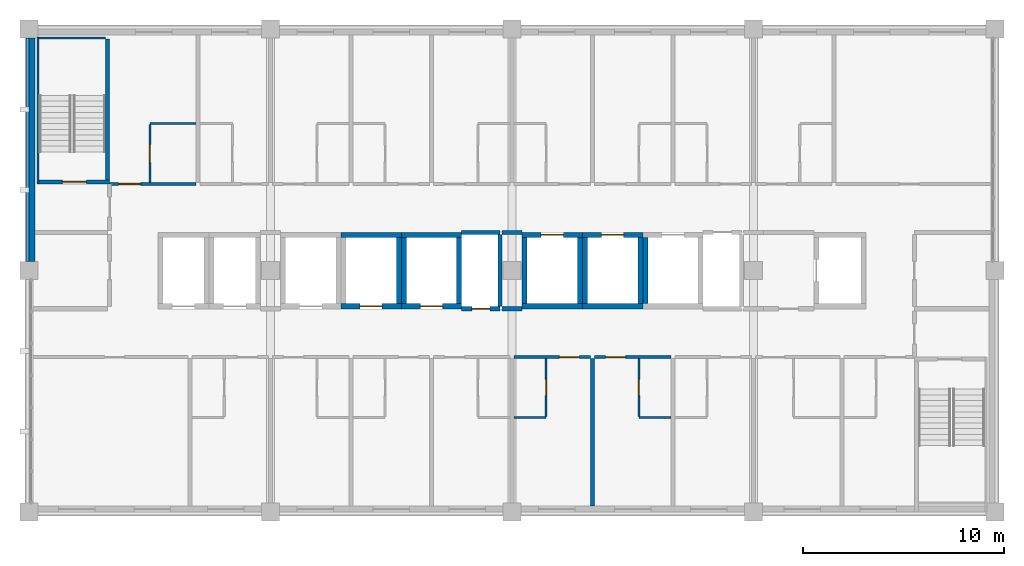
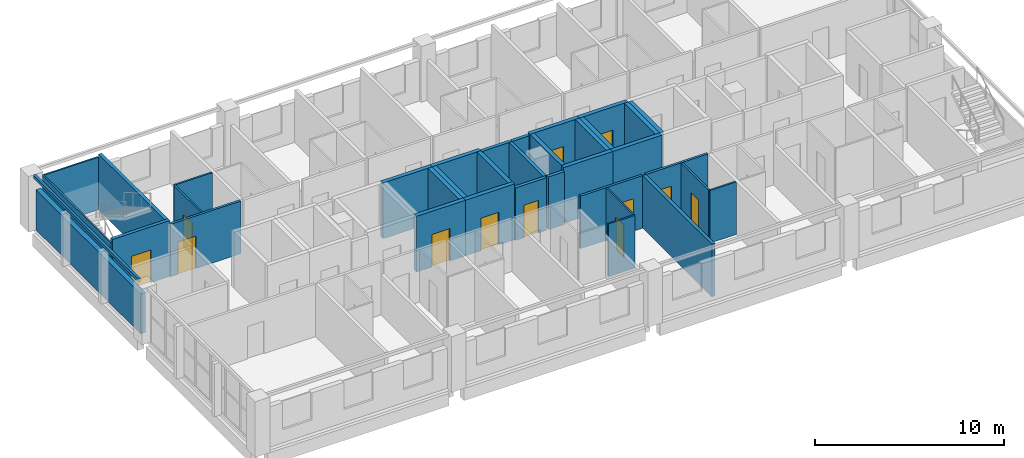
# One storey, part 7 of 11: 37 walls, 12 doors, 12 openings.
"""IFC4 building model written with IfcOpenShell, lengths in metres."""

from ifc_helpers import new_model, si_unit, direction, frame, frame_2d, origin, place, context, subcontext, project, spatial, rectangle, extrude, material, layer, layer_set, type_object, element, fill, save


model = new_model("IFC4")

# Units and contexts
model_context = context("Model", 3, precision=1e-05, world=origin(), true_north=direction((0.0, 1.0)))
body_context = subcontext(model_context, "Body", "Model", "MODEL_VIEW")
ifc_project = project(units=[si_unit("LENGTHUNIT", "METRE"), si_unit("AREAUNIT", "SQUARE_METRE"), si_unit("VOLUMEUNIT", "CUBIC_METRE"), si_unit("PLANEANGLEUNIT", "RADIAN"), si_unit("MASSUNIT", "GRAM", prefix="KILO")], contexts=[model_context])

# Site, building, storey
site_placement = place(None, origin())
site = spatial("IfcSite", under=ifc_project, at=site_placement, CompositionType="ELEMENT")
building_placement = place(site_placement, origin())
building = spatial("IfcBuilding", under=site, at=building_placement, Name="Lilac Gate Convention Centre", CompositionType="ELEMENT")
storey_placement = place(building_placement, frame((0.0, 0.0, 28.199951171875)))
storey = spatial("IfcBuildingStorey", under=building, at=storey_placement, Name="L06", CompositionType="ELEMENT", Elevation=28.199951171875)

# Walls
ifc_material_1 = material(Name="Concrete C60", Category="concrete")
ifc_layer_1 = layer(ifc_material_1, 0.10009765625)
ifc_layer_set_1 = layer_set([ifc_layer_1], Name="Concrete C60")
wall_type_1 = type_object("IfcWallType", Name="Core wall 100 C60", PredefinedType="SHEAR", material=ifc_layer_set_1)
wall_1_placement = place(storey_placement, frame((42.449951171875, 238.300048828125, 0.0), z_axis=(0.0, 0.0, 1.0), x_axis=(0.0, 1.0, 0.0)))
element("IfcWall", 1, at=wall_1_placement, inside=storey, type_object=wall_type_1, Name="CRW8 core wall TS-WX L06 1", PredefinedType="SHEAR", context=body_context, shape_type="SweptSolid", body=[
    extrude(rectangle(XDim=7.300048828125, YDim=0.10009765625, at=frame_2d((3.64990234375, 0.0))), origin(), (0.0, 0.0, 1.0), 3.400146484375),
])
wall_2_placement = place(storey_placement, frame((42.5, 245.550048828125, 0.0), z_axis=(0.0, 0.0, 1.0), x_axis=(1.0, 0.0, 0.0)))
element("IfcWall", 2, at=wall_2_placement, inside=storey, type_object=wall_type_1, Name="CRW8 core wall TS-WX L06 2", PredefinedType="SHEAR", context=body_context, shape_type="SweptSolid", body=[
    extrude(rectangle(XDim=3.300048828125, YDim=0.10009765625, at=frame_2d((1.64990234375, 0.0))), origin(), (0.0, 0.0, 1.0), 3.400146484375),
])

# Wall, opening, door
ifc_layer_2 = layer(ifc_material_1, 0.199951171875)
ifc_layer_set_2 = layer_set([ifc_layer_2], Name="Concrete C60")
wall_type_2 = type_object("IfcWallType", Name="Core wall 200 C60", PredefinedType="SHEAR", material=ifc_layer_set_2)
wall_3_placement = place(storey_placement, frame((42.5, 238.39990234375, 0.0), z_axis=(0.0, 0.0, 1.0), x_axis=(1.0, 0.0, 0.0)))
wall_3 = element("IfcWall", 3, at=wall_3_placement, inside=storey, type_object=wall_type_2, Name="CRW2 core wall TS-W L06 1", PredefinedType="SHEAR", context=body_context, shape_type="SweptSolid", body=[
    extrude(rectangle(XDim=3.5, YDim=0.199951171875, at=frame_2d((1.75, 0.0))), origin(), (0.0, 0.0, 1.0), 3.60009765625),
])
opening_1_placement = place(wall_3_placement, frame((1.14990234375, 0.0, 0.0)))
opening_1 = element("IfcOpeningElement", 4, at=opening_1_placement, cuts=wall_3, Name="Opening T04-055", PredefinedType="OPENING", context=body_context, shape_type="SweptSolid", body=[
    extrude(rectangle(XDim=1.199951171875, YDim=2.10009765625, at=frame_2d((0.60009765625, 1.050048828125))), frame((0.0, 0.10986328125, 0.0), z_axis=(0.0, -1.0, 0.0), x_axis=(1.0, 0.0, 0.0)), (0.0, 0.0, 1.0), 0.219970703125),
])
ifc_material_2 = material(Name="Steel Q235B", Category="steel")
door_type_1 = type_object("IfcDoorType", Name="Stair door 1200", OperationType="SINGLE_SWING_LEFT", PredefinedType="DOOR", material=ifc_material_2)
door_1_placement = place(opening_1_placement, origin())
door_1 = element("IfcDoor", 5, at=door_1_placement, inside=storey, type_object=door_type_1, Name="Stair door NW L06", OperationType="SINGLE_SWING_RIGHT", OverallHeight=2.10009765625, OverallWidth=1.199951171875, PredefinedType="DOOR", context=body_context, shape_type="SweptSolid", body=[
    extrude(rectangle(XDim=1.199951171875, YDim=2.10009765625, at=frame_2d((0.60009765625, 1.050048828125))), frame((0.0, 0.02490234375, 0.0), z_axis=(0.0, -1.0, 0.0), x_axis=(1.0, 0.0, 0.0)), (0.0, 0.0, 1.0), 0.050048828125),
])
fill(opening_1, door_1)

# Wall
wall_4_placement = place(storey_placement, frame((45.89990234375, 238.5, 0.0), z_axis=(0.0, 0.0, 1.0), x_axis=(0.0, 1.0, 0.0)))
element("IfcWall", 6, at=wall_4_placement, inside=storey, type_object=wall_type_2, Name="CRW2 core wall TS-W L06 2", PredefinedType="SHEAR", context=body_context, shape_type="SweptSolid", body=[
    extrude(rectangle(XDim=7.0, YDim=0.199951171875, at=frame_2d((3.5, 0.0))), origin(), (0.0, 0.0, 1.0), 3.60009765625),
])

# Wall, opening, door
ifc_layer_3 = layer(ifc_material_1, 0.25)
ifc_layer_set_3 = layer_set([ifc_layer_3], Name="Concrete C60")
wall_type_3 = type_object("IfcWallType", Name="Core wall 250 C60", PredefinedType="SHEAR", material=ifc_layer_set_3)
wall_5_placement = place(storey_placement, frame((57.5, 232.22509765625, 0.0), z_axis=(0.0, 0.0, 1.0), x_axis=(1.0, 0.0, 0.0)))
wall_5 = element("IfcWall", 7, at=wall_5_placement, inside=storey, type_object=wall_type_3, Name="CRW3 core wall TC L06 5", PredefinedType="SHEAR", context=body_context, shape_type="SweptSolid", body=[
    extrude(rectangle(XDim=3.0, YDim=0.25, at=frame_2d((1.5, 0.0))), origin(), (0.0, 0.0, 1.0), 3.60009765625),
])
opening_2_placement = place(wall_5_placement, frame((0.949951171875, 0.0, 0.0)))
opening_2 = element("IfcOpeningElement", 8, at=opening_2_placement, cuts=wall_5, Name="Opening T04-047", PredefinedType="OPENING", context=body_context, shape_type="SweptSolid", body=[
    extrude(rectangle(XDim=1.10009765625, YDim=2.10009765625, at=frame_2d((0.550048828125, 1.050048828125))), frame((0.0, 0.135009765625, 0.0), z_axis=(0.0, -1.0, 0.0), x_axis=(1.0, 0.0, 0.0)), (0.0, 0.0, 1.0), 0.27001953125),
])
ifc_material_3 = material(Name="Stainless steel 304", Category="steel")
door_type_2 = type_object("IfcDoorType", Name="Lift landing door 1100", OperationType="SLIDING_TO_LEFT", PredefinedType="DOOR", material=ifc_material_3)
door_2_placement = place(opening_2_placement, origin())
door_2 = element("IfcDoor", 9, at=door_2_placement, inside=storey, type_object=door_type_2, Name="Lift landing door TP2 L06", OperationType="SLIDING_TO_LEFT", OverallHeight=2.10009765625, OverallWidth=1.10009765625, PredefinedType="DOOR", context=body_context, shape_type="SweptSolid", body=[
    extrude(rectangle(XDim=1.10009765625, YDim=2.10009765625, at=frame_2d((0.550048828125, 1.050048828125))), frame((0.0, 0.02490234375, 0.0), z_axis=(0.0, -1.0, 0.0), x_axis=(1.0, 0.0, 0.0)), (0.0, 0.0, 1.0), 0.050048828125),
])
fill(opening_2, door_2)

# Walls
wall_6_placement = place(storey_placement, frame((57.5, 235.77490234375, 0.0), z_axis=(0.0, 0.0, 1.0), x_axis=(1.0, 0.0, 0.0)))
element("IfcWall", 10, at=wall_6_placement, inside=storey, type_object=wall_type_3, Name="CRW3 core wall TC L06 6", PredefinedType="SHEAR", context=body_context, shape_type="SweptSolid", body=[
    extrude(rectangle(XDim=3.0, YDim=0.25, at=frame_2d((1.5, 0.0))), origin(), (0.0, 0.0, 1.0), 3.60009765625),
])
wall_7_placement = place(storey_placement, frame((60.375, 232.35009765625, 0.0), z_axis=(0.0, 0.0, 1.0), x_axis=(0.0, 1.0, 0.0)))
element("IfcWall", 11, at=wall_7_placement, inside=storey, type_object=wall_type_3, Name="CRW3 core wall TC L06 8", PredefinedType="SHEAR", context=body_context, shape_type="SweptSolid", body=[
    extrude(rectangle(XDim=3.2998046875, YDim=0.25, at=frame_2d((1.64990234375, 0.0))), origin(), (0.0, 0.0, 1.0), 3.60009765625),
])

# Wall, opening, door
wall_8_placement = place(storey_placement, frame((60.5, 232.22509765625, 0.0), z_axis=(0.0, 0.0, 1.0), x_axis=(1.0, 0.0, 0.0)))
wall_8 = element("IfcWall", 12, at=wall_8_placement, inside=storey, type_object=wall_type_3, Name="CRW3 core wall TC L06 9", PredefinedType="SHEAR", context=body_context, shape_type="SweptSolid", body=[
    extrude(rectangle(XDim=3.0, YDim=0.25, at=frame_2d((1.5, 0.0))), origin(), (0.0, 0.0, 1.0), 3.60009765625),
])
opening_3_placement = place(wall_8_placement, frame((0.949951171875, 0.0, 0.0)))
opening_3 = element("IfcOpeningElement", 13, at=opening_3_placement, cuts=wall_8, Name="Opening T04-048", PredefinedType="OPENING", context=body_context, shape_type="SweptSolid", body=[
    extrude(rectangle(XDim=1.10009765625, YDim=2.10009765625, at=frame_2d((0.550048828125, 1.050048828125))), frame((0.0, 0.135009765625, 0.0), z_axis=(0.0, -1.0, 0.0), x_axis=(1.0, 0.0, 0.0)), (0.0, 0.0, 1.0), 0.27001953125),
])
door_3_placement = place(opening_3_placement, origin())
door_3 = element("IfcDoor", 14, at=door_3_placement, inside=storey, type_object=door_type_2, Name="Lift landing door TP3 L06", OperationType="SLIDING_TO_LEFT", OverallHeight=2.10009765625, OverallWidth=1.10009765625, PredefinedType="DOOR", context=body_context, shape_type="SweptSolid", body=[
    extrude(rectangle(XDim=1.10009765625, YDim=2.10009765625, at=frame_2d((0.550048828125, 1.050048828125))), frame((0.0, 0.02490234375, 0.0), z_axis=(0.0, -1.0, 0.0), x_axis=(1.0, 0.0, 0.0)), (0.0, 0.0, 1.0), 0.050048828125),
])
fill(opening_3, door_3)

# Walls
wall_9_placement = place(storey_placement, frame((60.5, 235.77490234375, 0.0), z_axis=(0.0, 0.0, 1.0), x_axis=(1.0, 0.0, 0.0)))
element("IfcWall", 15, at=wall_9_placement, inside=storey, type_object=wall_type_3, Name="CRW3 core wall TC L06 10", PredefinedType="SHEAR", context=body_context, shape_type="SweptSolid", body=[
    extrude(rectangle(XDim=3.0, YDim=0.25, at=frame_2d((1.5, 0.0))), origin(), (0.0, 0.0, 1.0), 3.60009765625),
])
for number, where, z_axis, x_axis, name in (
    (16, (60.625, 232.35009765625, 0.0), (0.0, 0.0, 1.0), (0.0, 1.0, 0.0), "CRW3 core wall TC L06 11"),
    (17, (63.375, 232.35009765625, 0.0), (0.0, 0.0, 1.0), (0.0, 1.0, 0.0), "CRW3 core wall TC L06 12"),
):
    element("IfcWall", number, at=place(storey_placement, frame(where, z_axis=z_axis, x_axis=x_axis)), inside=storey, type_object=wall_type_3, Name=name, PredefinedType="SHEAR", context=body_context, shape_type="SweptSolid", body=[
        extrude(rectangle(XDim=3.2998046875, YDim=0.25, at=frame_2d((1.64990234375, 0.0))), origin(), (0.0, 0.0, 1.0), 3.60009765625),
    ])
wall_10_placement = place(storey_placement, frame((66.5, 232.22509765625, 0.0), z_axis=(0.0, 0.0, 1.0), x_axis=(1.0, 0.0, 0.0)))
element("IfcWall", 18, at=wall_10_placement, inside=storey, type_object=wall_type_3, Name="CRW3 core wall TC L06 13", PredefinedType="SHEAR", context=body_context, shape_type="SweptSolid", body=[
    extrude(rectangle(XDim=3.0, YDim=0.25, at=frame_2d((1.5, 0.0))), origin(), (0.0, 0.0, 1.0), 3.60009765625),
])

# Wall, opening, door
wall_11_placement = place(storey_placement, frame((66.5, 235.77490234375, 0.0), z_axis=(0.0, 0.0, 1.0), x_axis=(1.0, 0.0, 0.0)))
wall_11 = element("IfcWall", 19, at=wall_11_placement, inside=storey, type_object=wall_type_3, Name="CRW3 core wall TC L06 14", PredefinedType="SHEAR", context=body_context, shape_type="SweptSolid", body=[
    extrude(rectangle(XDim=3.0, YDim=0.25, at=frame_2d((1.5, 0.0))), origin(), (0.0, 0.0, 1.0), 3.60009765625),
])
opening_4_placement = place(wall_11_placement, frame((0.949951171875, 0.0, 0.0)))
opening_4 = element("IfcOpeningElement", 20, at=opening_4_placement, cuts=wall_11, Name="Opening T04-049", PredefinedType="OPENING", context=body_context, shape_type="SweptSolid", body=[
    extrude(rectangle(XDim=1.10009765625, YDim=2.10009765625, at=frame_2d((0.550048828125, 1.050048828125))), frame((0.0, 0.135009765625, 0.0), z_axis=(0.0, -1.0, 0.0), x_axis=(1.0, 0.0, 0.0)), (0.0, 0.0, 1.0), 0.27001953125),
])
door_4_placement = place(opening_4_placement, origin())
door_4 = element("IfcDoor", 21, at=door_4_placement, inside=storey, type_object=door_type_2, Name="Lift landing door TP4 L06", OperationType="SLIDING_TO_LEFT", OverallHeight=2.10009765625, OverallWidth=1.10009765625, PredefinedType="DOOR", context=body_context, shape_type="SweptSolid", body=[
    extrude(rectangle(XDim=1.10009765625, YDim=2.10009765625, at=frame_2d((0.550048828125, 1.050048828125))), frame((0.0, 0.02490234375, 0.0), z_axis=(0.0, -1.0, 0.0), x_axis=(1.0, 0.0, 0.0)), (0.0, 0.0, 1.0), 0.050048828125),
])
fill(opening_4, door_4)

# Walls
for number, where, z_axis, x_axis, name in (
    (22, (66.625, 232.35009765625, 0.0), (0.0, 0.0, 1.0), (0.0, 1.0, 0.0), "CRW3 core wall TC L06 15"),
    (23, (69.375, 232.35009765625, 0.0), (0.0, 0.0, 1.0), (0.0, 1.0, 0.0), "CRW3 core wall TC L06 16"),
):
    element("IfcWall", number, at=place(storey_placement, frame(where, z_axis=z_axis, x_axis=x_axis)), inside=storey, type_object=wall_type_3, Name=name, PredefinedType="SHEAR", context=body_context, shape_type="SweptSolid", body=[
        extrude(rectangle(XDim=3.2998046875, YDim=0.25, at=frame_2d((1.64990234375, 0.0))), origin(), (0.0, 0.0, 1.0), 3.60009765625),
    ])
wall_12_placement = place(storey_placement, frame((69.5, 232.22509765625, 0.0), z_axis=(0.0, 0.0, 1.0), x_axis=(1.0, 0.0, 0.0)))
element("IfcWall", 24, at=wall_12_placement, inside=storey, type_object=wall_type_3, Name="CRW3 core wall TC L06 17", PredefinedType="SHEAR", context=body_context, shape_type="SweptSolid", body=[
    extrude(rectangle(XDim=3.0, YDim=0.25, at=frame_2d((1.5, 0.0))), origin(), (0.0, 0.0, 1.0), 3.60009765625),
])

# Wall, opening, door
wall_13_placement = place(storey_placement, frame((69.5, 235.77490234375, 0.0), z_axis=(0.0, 0.0, 1.0), x_axis=(1.0, 0.0, 0.0)))
wall_13 = element("IfcWall", 25, at=wall_13_placement, inside=storey, type_object=wall_type_3, Name="CRW3 core wall TC L06 18", PredefinedType="SHEAR", context=body_context, shape_type="SweptSolid", body=[
    extrude(rectangle(XDim=3.0, YDim=0.25, at=frame_2d((1.5, 0.0))), origin(), (0.0, 0.0, 1.0), 3.60009765625),
])
opening_5_placement = place(wall_13_placement, frame((0.949951171875, 0.0, 0.0)))
opening_5 = element("IfcOpeningElement", 26, at=opening_5_placement, cuts=wall_13, Name="Opening T04-050", PredefinedType="OPENING", context=body_context, shape_type="SweptSolid", body=[
    extrude(rectangle(XDim=1.10009765625, YDim=2.10009765625, at=frame_2d((0.550048828125, 1.050048828125))), frame((0.0, 0.135009765625, 0.0), z_axis=(0.0, -1.0, 0.0), x_axis=(1.0, 0.0, 0.0)), (0.0, 0.0, 1.0), 0.27001953125),
])
door_5_placement = place(opening_5_placement, origin())
door_5 = element("IfcDoor", 27, at=door_5_placement, inside=storey, type_object=door_type_2, Name="Lift landing door TP5 L06", OperationType="SLIDING_TO_LEFT", OverallHeight=2.10009765625, OverallWidth=1.10009765625, PredefinedType="DOOR", context=body_context, shape_type="SweptSolid", body=[
    extrude(rectangle(XDim=1.10009765625, YDim=2.10009765625, at=frame_2d((0.550048828125, 1.050048828125))), frame((0.0, 0.02490234375, 0.0), z_axis=(0.0, -1.0, 0.0), x_axis=(1.0, 0.0, 0.0)), (0.0, 0.0, 1.0), 0.050048828125),
])
fill(opening_5, door_5)

# Walls
for number, where, z_axis, x_axis, name in (
    (28, (69.625, 232.35009765625, 0.0), (0.0, 0.0, 1.0), (0.0, 1.0, 0.0), "CRW3 core wall TC L06 19"),
    (29, (72.375, 232.35009765625, 0.0), (0.0, 0.0, 1.0), (0.0, 1.0, 0.0), "CRW3 core wall TC L06 20"),
    (30, (72.625, 232.35009765625, 0.0), (0.0, 0.0, 1.0), (0.0, 1.0, 0.0), "CRW3 core wall TC L06 23"),
):
    element("IfcWall", number, at=place(storey_placement, frame(where, z_axis=z_axis, x_axis=x_axis)), inside=storey, type_object=wall_type_3, Name=name, PredefinedType="SHEAR", context=body_context, shape_type="SweptSolid", body=[
        extrude(rectangle(XDim=3.2998046875, YDim=0.25, at=frame_2d((1.64990234375, 0.0))), origin(), (0.0, 0.0, 1.0), 3.60009765625),
    ])

# Wall, opening, door
ifc_material_4 = material(Name="Gypsum board on steel stud", Category="steel")
ifc_layer_4 = layer(ifc_material_4, 0.14990234375)
ifc_layer_set_4 = layer_set([ifc_layer_4], Name="Gypsum board on steel stud")
wall_type_4 = type_object("IfcWallType", Name="Corridor wall 150", PredefinedType="PARTITIONING", material=ifc_layer_set_4)
wall_14_placement = place(storey_placement, frame((69.89990234375, 229.699951171875, 0.0), z_axis=(0.0, 0.0, 1.0), x_axis=(-1.0, 0.0, 0.0)))
wall_14 = element("IfcWall", 31, at=wall_14_placement, inside=storey, type_object=wall_type_4, Name="Corridor wall 150 front 0606", PredefinedType="PARTITIONING", context=body_context, shape_type="SweptSolid", body=[
    extrude(rectangle(XDim=3.7998046875, YDim=0.14990234375, at=frame_2d((1.89990234375, 0.0))), origin(), (0.0, 0.0, 1.0), 3.400146484375),
])
opening_6_placement = place(wall_14_placement, frame((0.550048828125, 0.0, 0.0)))
opening_6 = element("IfcOpeningElement", 32, at=opening_6_placement, cuts=wall_14, Name="Opening T04-017", PredefinedType="OPENING", context=body_context, shape_type="SweptSolid", body=[
    extrude(rectangle(XDim=1.0, YDim=2.10009765625, at=frame_2d((0.5, 1.050048828125))), frame((0.0, 0.0849609375, 0.0), z_axis=(0.0, -1.0, 0.0), x_axis=(1.0, 0.0, 0.0)), (0.0, 0.0, 1.0), 0.169921875),
])
ifc_material_5 = material(Name="Timber", Category="wood")
door_type_3 = type_object("IfcDoorType", Name="Guest room entrance door 1000", OperationType="SINGLE_SWING_LEFT", PredefinedType="DOOR", material=ifc_material_5)
door_6_placement = place(opening_6_placement, origin())
door_6 = element("IfcDoor", 33, at=door_6_placement, inside=storey, type_object=door_type_3, Name="Guest room door 0606", OperationType="SINGLE_SWING_LEFT", OverallHeight=2.10009765625, OverallWidth=1.0, PredefinedType="DOOR", context=body_context, shape_type="SweptSolid", body=[
    extrude(rectangle(XDim=1.0, YDim=2.10009765625, at=frame_2d((0.5, 1.050048828125))), frame((0.0, 0.02490234375, 0.0), z_axis=(0.0, -1.0, 0.0), x_axis=(1.0, 0.0, 0.0)), (0.0, 0.0, 1.0), 0.050048828125),
])
fill(opening_6, door_6)

wall_15_placement = place(storey_placement, frame((73.89990234375, 229.699951171875, 0.0), z_axis=(0.0, 0.0, 1.0), x_axis=(-1.0, 0.0, 0.0)))
wall_15 = element("IfcWall", 34, at=wall_15_placement, inside=storey, type_object=wall_type_4, Name="Corridor wall 150 front 0607", PredefinedType="PARTITIONING", context=body_context, shape_type="SweptSolid", body=[
    extrude(rectangle(XDim=3.7998046875, YDim=0.14990234375, at=frame_2d((1.89990234375, 0.0))), origin(), (0.0, 0.0, 1.0), 3.400146484375),
])
opening_7_placement = place(wall_15_placement, frame((2.25, 0.0, 0.0)))
opening_7 = element("IfcOpeningElement", 35, at=opening_7_placement, cuts=wall_15, Name="Opening T04-019", PredefinedType="OPENING", context=body_context, shape_type="SweptSolid", body=[
    extrude(rectangle(XDim=1.0, YDim=2.10009765625, at=frame_2d((0.5, 1.050048828125))), frame((0.0, 0.0849609375, 0.0), z_axis=(0.0, -1.0, 0.0), x_axis=(1.0, 0.0, 0.0)), (0.0, 0.0, 1.0), 0.169921875),
])
door_7_placement = place(opening_7_placement, origin())
door_7 = element("IfcDoor", 36, at=door_7_placement, inside=storey, type_object=door_type_3, Name="Guest room door 0607", OperationType="SINGLE_SWING_LEFT", OverallHeight=2.10009765625, OverallWidth=1.0, PredefinedType="DOOR", context=body_context, shape_type="SweptSolid", body=[
    extrude(rectangle(XDim=1.0, YDim=2.10009765625, at=frame_2d((0.5, 1.050048828125))), frame((0.0, 0.02490234375, 0.0), z_axis=(0.0, -1.0, 0.0), x_axis=(1.0, 0.0, 0.0)), (0.0, 0.0, 1.0), 0.050048828125),
])
fill(opening_7, door_7)

wall_16_placement = place(storey_placement, frame((46.0, 238.300048828125, 0.0), z_axis=(0.0, 0.0, 1.0), x_axis=(1.0, 0.0, 0.0)))
wall_16 = element("IfcWall", 37, at=wall_16_placement, inside=storey, type_object=wall_type_4, Name="Corridor wall 150 front 0611", PredefinedType="PARTITIONING", context=body_context, shape_type="SweptSolid", body=[
    extrude(rectangle(XDim=4.300048828125, YDim=0.14990234375, at=frame_2d((2.14990234375, 0.0))), origin(), (0.0, 0.0, 1.0), 3.400146484375),
])
opening_8_placement = place(wall_16_placement, frame((0.449951171875, 0.0, 0.0)))
opening_8 = element("IfcOpeningElement", 38, at=opening_8_placement, cuts=wall_16, Name="Opening T04-027", PredefinedType="OPENING", context=body_context, shape_type="SweptSolid", body=[
    extrude(rectangle(XDim=1.10009765625, YDim=2.10009765625, at=frame_2d((0.550048828125, 1.050048828125))), frame((0.0, 0.0849609375, 0.0), z_axis=(0.0, -1.0, 0.0), x_axis=(1.0, 0.0, 0.0)), (0.0, 0.0, 1.0), 0.169921875),
])
door_type_4 = type_object("IfcDoorType", Name="Accessible entrance door 1100", OperationType="SINGLE_SWING_LEFT", PredefinedType="DOOR", material=ifc_material_5)
door_8_placement = place(opening_8_placement, origin())
door_8 = element("IfcDoor", 39, at=door_8_placement, inside=storey, type_object=door_type_4, Name="Guest room door 0611", OperationType="SINGLE_SWING_LEFT", OverallHeight=2.10009765625, OverallWidth=1.10009765625, PredefinedType="DOOR", context=body_context, shape_type="SweptSolid", body=[
    extrude(rectangle(XDim=1.10009765625, YDim=2.10009765625, at=frame_2d((0.550048828125, 1.050048828125))), frame((0.0, 0.02490234375, 0.0), z_axis=(0.0, -1.0, 0.0), x_axis=(1.0, 0.0, 0.0)), (0.0, 0.0, 1.0), 0.050048828125),
])
fill(opening_8, door_8)

# Wall
ifc_layer_5 = layer(ifc_material_4, 0.10009765625)
ifc_layer_set_5 = layer_set([ifc_layer_5], Name="Gypsum board on steel stud")
wall_type_5 = type_object("IfcWallType", Name="En-suite wall 100", PredefinedType="PARTITIONING", material=ifc_layer_set_5)
wall_17_placement = place(storey_placement, frame((66.10009765625, 226.699951171875, 0.0), z_axis=(0.0, 0.0, 1.0), x_axis=(1.0, 0.0, 0.0)))
element("IfcWall", 40, at=wall_17_placement, inside=storey, type_object=wall_type_5, Name="En-suite wall 100 bath 0606", PredefinedType="PARTITIONING", context=body_context, shape_type="SweptSolid", body=[
    extrude(rectangle(XDim=1.599853515625, YDim=0.10009765625, at=frame_2d((0.7998046875, 0.0))), origin(), (0.0, 0.0, 1.0), 3.400146484375),
])

# Wall, opening, door
wall_18_placement = place(storey_placement, frame((67.699951171875, 229.625, 0.0), z_axis=(0.0, 0.0, 1.0), x_axis=(0.0, -1.0, 0.0)))
wall_18 = element("IfcWall", 41, at=wall_18_placement, inside=storey, type_object=wall_type_5, Name="En-suite wall 100 bath side 0606", PredefinedType="PARTITIONING", context=body_context, shape_type="SweptSolid", body=[
    extrude(rectangle(XDim=2.875, YDim=0.10009765625, at=frame_2d((1.4375, 0.0))), origin(), (0.0, 0.0, 1.0), 3.400146484375),
])
opening_9_placement = place(wall_18_placement, frame((1.03759765625, 0.0, 0.0)))
opening_9 = element("IfcOpeningElement", 42, at=opening_9_placement, cuts=wall_18, Name="Opening T04-018", PredefinedType="OPENING", context=body_context, shape_type="SweptSolid", body=[
    extrude(rectangle(XDim=0.800048828125, YDim=2.10009765625, at=frame_2d((0.39990234375, 1.050048828125))), frame((0.0, 0.06005859375, 0.0), z_axis=(0.0, -1.0, 0.0), x_axis=(1.0, 0.0, 0.0)), (0.0, 0.0, 1.0), 0.1201171875),
])
door_type_5 = type_object("IfcDoorType", Name="En-suite door 800", OperationType="SINGLE_SWING_LEFT", PredefinedType="DOOR", material=ifc_material_5)
door_9_placement = place(opening_9_placement, origin())
door_9 = element("IfcDoor", 43, at=door_9_placement, inside=storey, type_object=door_type_5, Name="En-suite door 0606", OperationType="SINGLE_SWING_LEFT", OverallHeight=2.10009765625, OverallWidth=0.800048828125, PredefinedType="DOOR", context=body_context, shape_type="SweptSolid", body=[
    extrude(rectangle(XDim=0.800048828125, YDim=2.10009765625, at=frame_2d((0.39990234375, 1.050048828125))), frame((0.0, 0.02490234375, 0.0), z_axis=(0.0, -1.0, 0.0), x_axis=(1.0, 0.0, 0.0)), (0.0, 0.0, 1.0), 0.050048828125),
])
fill(opening_9, door_9)

# Wall
wall_19_placement = place(storey_placement, frame((72.300048828125, 226.699951171875, 0.0), z_axis=(0.0, 0.0, 1.0), x_axis=(1.0, 0.0, 0.0)))
element("IfcWall", 44, at=wall_19_placement, inside=storey, type_object=wall_type_5, Name="En-suite wall 100 bath 0607", PredefinedType="PARTITIONING", context=body_context, shape_type="SweptSolid", body=[
    extrude(rectangle(XDim=1.599853515625, YDim=0.10009765625, at=frame_2d((0.7998046875, 0.0))), origin(), (0.0, 0.0, 1.0), 3.400146484375),
])

# Wall, opening, door
wall_20_placement = place(storey_placement, frame((72.300048828125, 226.75, 0.0), z_axis=(0.0, 0.0, 1.0), x_axis=(0.0, 1.0, 0.0)))
wall_20 = element("IfcWall", 45, at=wall_20_placement, inside=storey, type_object=wall_type_5, Name="En-suite wall 100 bath side 0607", PredefinedType="PARTITIONING", context=body_context, shape_type="SweptSolid", body=[
    extrude(rectangle(XDim=2.875, YDim=0.10009765625, at=frame_2d((1.4375, 0.0))), origin(), (0.0, 0.0, 1.0), 3.400146484375),
])
opening_10_placement = place(wall_20_placement, frame((1.03759765625, 0.0, 0.0)))
opening_10 = element("IfcOpeningElement", 46, at=opening_10_placement, cuts=wall_20, Name="Opening T04-020", PredefinedType="OPENING", context=body_context, shape_type="SweptSolid", body=[
    extrude(rectangle(XDim=0.800048828125, YDim=2.10009765625, at=frame_2d((0.39990234375, 1.050048828125))), frame((0.0, 0.06005859375, 0.0), z_axis=(0.0, -1.0, 0.0), x_axis=(1.0, 0.0, 0.0)), (0.0, 0.0, 1.0), 0.1201171875),
])
door_10_placement = place(opening_10_placement, origin())
door_10 = element("IfcDoor", 47, at=door_10_placement, inside=storey, type_object=door_type_5, Name="En-suite door 0607", OperationType="SINGLE_SWING_RIGHT", OverallHeight=2.10009765625, OverallWidth=0.800048828125, PredefinedType="DOOR", context=body_context, shape_type="SweptSolid", body=[
    extrude(rectangle(XDim=0.800048828125, YDim=2.10009765625, at=frame_2d((0.39990234375, 1.050048828125))), frame((0.0, 0.02490234375, 0.0), z_axis=(0.0, -1.0, 0.0), x_axis=(1.0, 0.0, 0.0)), (0.0, 0.0, 1.0), 0.050048828125),
])
fill(opening_10, door_10)

# Wall
wall_21_placement = place(storey_placement, frame((48.0, 241.300048828125, 0.0), z_axis=(0.0, 0.0, 1.0), x_axis=(1.0, 0.0, 0.0)))
element("IfcWall", 48, at=wall_21_placement, inside=storey, type_object=wall_type_5, Name="En-suite wall 100 bath 0611", PredefinedType="PARTITIONING", context=body_context, shape_type="SweptSolid", body=[
    extrude(rectangle(XDim=2.300048828125, YDim=0.10009765625, at=frame_2d((1.14990234375, 0.0))), origin(), (0.0, 0.0, 1.0), 3.400146484375),
])

# Wall, opening, door
wall_22_placement = place(storey_placement, frame((48.0, 238.375, 0.0), z_axis=(0.0, 0.0, 1.0), x_axis=(0.0, 1.0, 0.0)))
wall_22 = element("IfcWall", 49, at=wall_22_placement, inside=storey, type_object=wall_type_5, Name="En-suite wall 100 bath side 0611", PredefinedType="PARTITIONING", context=body_context, shape_type="SweptSolid", body=[
    extrude(rectangle(XDim=2.875, YDim=0.10009765625, at=frame_2d((1.4375, 0.0))), origin(), (0.0, 0.0, 1.0), 3.400146484375),
])
opening_11_placement = place(wall_22_placement, frame((0.987548828125, 0.0, 0.0)))
opening_11 = element("IfcOpeningElement", 50, at=opening_11_placement, cuts=wall_22, Name="Opening T04-028", PredefinedType="OPENING", context=body_context, shape_type="SweptSolid", body=[
    extrude(rectangle(XDim=0.89990234375, YDim=2.10009765625, at=frame_2d((0.449951171875, 1.050048828125))), frame((0.0, 0.06005859375, 0.0), z_axis=(0.0, -1.0, 0.0), x_axis=(1.0, 0.0, 0.0)), (0.0, 0.0, 1.0), 0.1201171875),
])
door_type_6 = type_object("IfcDoorType", Name="Accessible en-suite door 900", OperationType="SINGLE_SWING_LEFT", PredefinedType="DOOR", material=ifc_material_5)
door_11_placement = place(opening_11_placement, origin())
door_11 = element("IfcDoor", 51, at=door_11_placement, inside=storey, type_object=door_type_6, Name="En-suite door 0611", OperationType="SINGLE_SWING_LEFT", OverallHeight=2.10009765625, OverallWidth=0.89990234375, PredefinedType="DOOR", context=body_context, shape_type="SweptSolid", body=[
    extrude(rectangle(XDim=0.89990234375, YDim=2.10009765625, at=frame_2d((0.449951171875, 1.050048828125))), frame((0.0, 0.02490234375, 0.0), z_axis=(0.0, -1.0, 0.0), x_axis=(1.0, 0.0, 0.0)), (0.0, 0.0, 1.0), 0.050048828125),
])
fill(opening_11, door_11)

# Walls
ifc_layer_6 = layer(ifc_material_4, 0.199951171875)
ifc_layer_set_6 = layer_set([ifc_layer_6], Name="Gypsum board on steel stud")
wall_type_6 = type_object("IfcWallType", Name="Guest room party wall 200", PredefinedType="PARTITIONING", material=ifc_layer_set_6)
wall_23_placement = place(storey_placement, frame((70.0, 222.2998046875, 0.0), z_axis=(0.0, 0.0, 1.0), x_axis=(0.0, 1.0, 0.0)))
element("IfcWall", 52, at=wall_23_placement, inside=storey, type_object=wall_type_6, Name="Guest room party wall 200 party 70.0", PredefinedType="PARTITIONING", context=body_context, shape_type="SweptSolid", body=[
    extrude(rectangle(XDim=7.3251953125, YDim=0.199951171875, at=frame_2d((3.66259765625, 0.0))), origin(), (0.0, 0.0, 1.0), 3.400146484375),
])
ifc_material_6 = material(Name="Concrete C40 precast", Category="concrete")
ifc_layer_7 = layer(ifc_material_6, 0.1298828125)
ifc_material_7 = material(Name="Ochre mineral render")
ifc_layer_8 = layer(ifc_material_7, 0.02001953125)
ifc_layer_set_7 = layer_set([ifc_layer_7, ifc_layer_8], Name="Concrete C40 precast, Ochre mineral render")
wall_type_7 = type_object("IfcWallType", Name="Precast band ochre 150", PredefinedType="STANDARD", material=ifc_layer_set_7)
wall_24_placement = place(storey_placement, frame((41.925048828125, 245.550048828125, 3.400146484375), z_axis=(0.0, 0.0, 1.0), x_axis=(0.0, -1.0, 0.0)))
element("IfcWall", 53, at=wall_24_placement, inside=storey, type_object=wall_type_7, Name="Precast band W L06 1", PredefinedType="STANDARD", context=body_context, shape_type="SweptSolid", body=[
    extrude(rectangle(XDim=11.10009765625, YDim=0.14990234375, at=frame_2d((5.550048828125, 0.0))), origin(), (0.0, 0.0, 1.0), 0.199951171875),
])
ifc_layer_9 = layer(ifc_material_7, 0.02001953125)
ifc_layer_10 = layer(ifc_material_6, 0.06005859375)
ifc_material_8 = material(Name="Ventilated air cavity")
ifc_layer_11 = layer(ifc_material_8, 0.030029296875)
ifc_material_9 = material(Name="Mineral wool insulation")
ifc_layer_12 = layer(ifc_material_9, 0.1201171875)
ifc_material_10 = material(Name="Steel stud Q345 and gypsum lining", Category="steel")
ifc_layer_13 = layer(ifc_material_10, 0.070068359375)
ifc_layer_set_8 = layer_set([ifc_layer_9, ifc_layer_10, ifc_layer_11, ifc_layer_12, ifc_layer_13], Name="Ochre mineral render, Concrete C40 precast, Ventilated air cavity, Mineral wool insulation, Steel stud Q345 and gypsum lining")
wall_type_8 = type_object("IfcWallType", Name="Precast panel wall ochre 300", PredefinedType="STANDARD", material=ifc_layer_set_8)
wall_25_placement = place(storey_placement, frame((42.14990234375, 245.550048828125, 0.0), z_axis=(0.0, 0.0, 1.0), x_axis=(0.0, -1.0, 0.0)))
element("IfcWall", 54, at=wall_25_placement, inside=storey, type_object=wall_type_8, Name="External wall W L06 1", PredefinedType="STANDARD", context=body_context, shape_type="SweptSolid", body=[
    extrude(rectangle(XDim=11.10009765625, YDim=0.300048828125, at=frame_2d((5.550048828125, 0.0))), origin(), (0.0, 0.0, 1.0), 2.60009765625),
])

# Wall, opening, door
ifc_layer_14 = layer(ifc_material_4, 0.199951171875)
ifc_layer_set_9 = layer_set([ifc_layer_14], Name="Gypsum board on steel stud")
wall_type_9 = type_object("IfcWallType", Name="Riser and store wall 200", PredefinedType="PARTITIONING", material=ifc_layer_set_9)
wall_26_placement = place(storey_placement, frame((63.5, 232.10009765625, 0.0), z_axis=(0.0, 0.0, 1.0), x_axis=(1.0, 0.0, 0.0)))
wall_26 = element("IfcWall", 55, at=wall_26_placement, inside=storey, type_object=wall_type_9, Name="Riser and store wall 200 RS1-S", PredefinedType="PARTITIONING", context=body_context, shape_type="SweptSolid", body=[
    extrude(rectangle(XDim=1.89990234375, YDim=0.199951171875, at=frame_2d((0.949951171875, 0.0))), origin(), (0.0, 0.0, 1.0), 3.400146484375),
])
opening_12_placement = place(wall_26_placement, frame((0.5, 0.0, 0.0)))
opening_12 = element("IfcOpeningElement", 56, at=opening_12_placement, cuts=wall_26, Name="Opening T04-002", PredefinedType="OPENING", context=body_context, shape_type="SweptSolid", body=[
    extrude(rectangle(XDim=0.89990234375, YDim=2.10009765625, at=frame_2d((0.449951171875, 1.050048828125))), frame((0.0, 0.10986328125, 0.0), z_axis=(0.0, -1.0, 0.0), x_axis=(1.0, 0.0, 0.0)), (0.0, 0.0, 1.0), 0.219970703125),
])
door_type_7 = type_object("IfcDoorType", Name="Riser and store door 900", OperationType="SINGLE_SWING_LEFT", PredefinedType="DOOR", material=ifc_material_2)
door_12_placement = place(opening_12_placement, origin())
door_12 = element("IfcDoor", 57, at=door_12_placement, inside=storey, type_object=door_type_7, Name="Riser room door", OperationType="SINGLE_SWING_RIGHT", OverallHeight=2.10009765625, OverallWidth=0.89990234375, PredefinedType="DOOR", context=body_context, shape_type="SweptSolid", body=[
    extrude(rectangle(XDim=0.89990234375, YDim=2.10009765625, at=frame_2d((0.449951171875, 1.050048828125))), frame((0.0, 0.02490234375, 0.0), z_axis=(0.0, -1.0, 0.0), x_axis=(1.0, 0.0, 0.0)), (0.0, 0.0, 1.0), 0.050048828125),
])
fill(opening_12, door_12)

# Walls
wall_27_placement = place(storey_placement, frame((65.5, 232.10009765625, 0.0), z_axis=(0.0, 0.0, 1.0), x_axis=(1.0, 0.0, 0.0)))
element("IfcWall", 58, at=wall_27_placement, inside=storey, type_object=wall_type_9, Name="Riser and store wall 200 NICHE2-S", PredefinedType="PARTITIONING", context=body_context, shape_type="SweptSolid", body=[
    extrude(rectangle(XDim=1.0, YDim=0.199951171875, at=frame_2d((0.5, 0.0))), origin(), (0.0, 0.0, 1.0), 3.400146484375),
])
wall_28_placement = place(storey_placement, frame((63.5, 235.89990234375, 0.0), z_axis=(0.0, 0.0, 1.0), x_axis=(1.0, 0.0, 0.0)))
element("IfcWall", 59, at=wall_28_placement, inside=storey, type_object=wall_type_9, Name="Riser and store wall 200 RS1-N", PredefinedType="PARTITIONING", context=body_context, shape_type="SweptSolid", body=[
    extrude(rectangle(XDim=1.89990234375, YDim=0.199951171875, at=frame_2d((0.949951171875, 0.0))), origin(), (0.0, 0.0, 1.0), 3.400146484375),
])
wall_29_placement = place(storey_placement, frame((65.5, 235.89990234375, 0.0), z_axis=(0.0, 0.0, 1.0), x_axis=(1.0, 0.0, 0.0)))
element("IfcWall", 60, at=wall_29_placement, inside=storey, type_object=wall_type_9, Name="Riser and store wall 200 NICHE2-N", PredefinedType="PARTITIONING", context=body_context, shape_type="SweptSolid", body=[
    extrude(rectangle(XDim=1.0, YDim=0.199951171875, at=frame_2d((0.5, 0.0))), origin(), (0.0, 0.0, 1.0), 3.400146484375),
])
wall_30_placement = place(storey_placement, frame((65.39990234375, 232.199951171875, 0.0), z_axis=(0.0, 0.0, 1.0), x_axis=(0.0, 1.0, 0.0)))
element("IfcWall", 61, at=wall_30_placement, inside=storey, type_object=wall_type_9, Name="Riser and store wall 200 RS1-E", PredefinedType="PARTITIONING", context=body_context, shape_type="SweptSolid", body=[
    extrude(rectangle(XDim=3.60009765625, YDim=0.199951171875, at=frame_2d((1.800048828125, 0.0))), origin(), (0.0, 0.0, 1.0), 3.400146484375),
])

save(model, "model.ifc")
